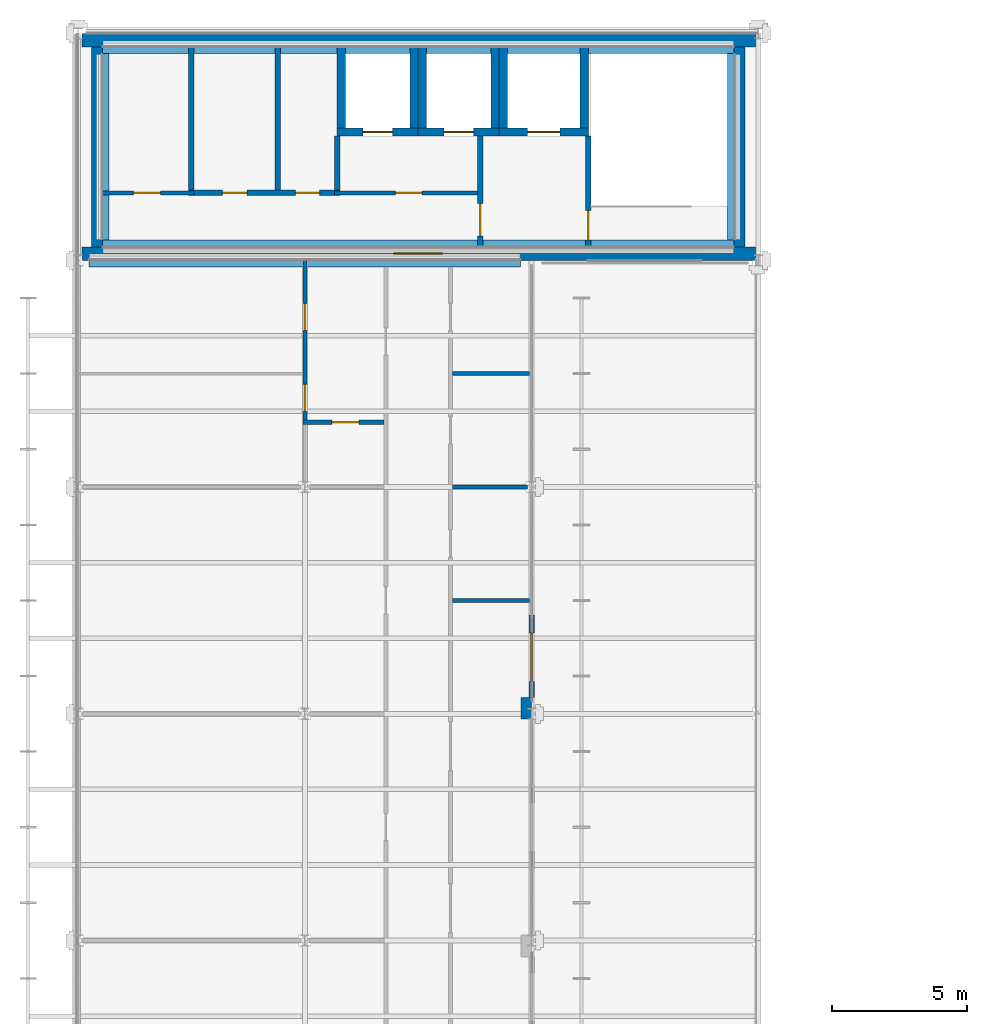
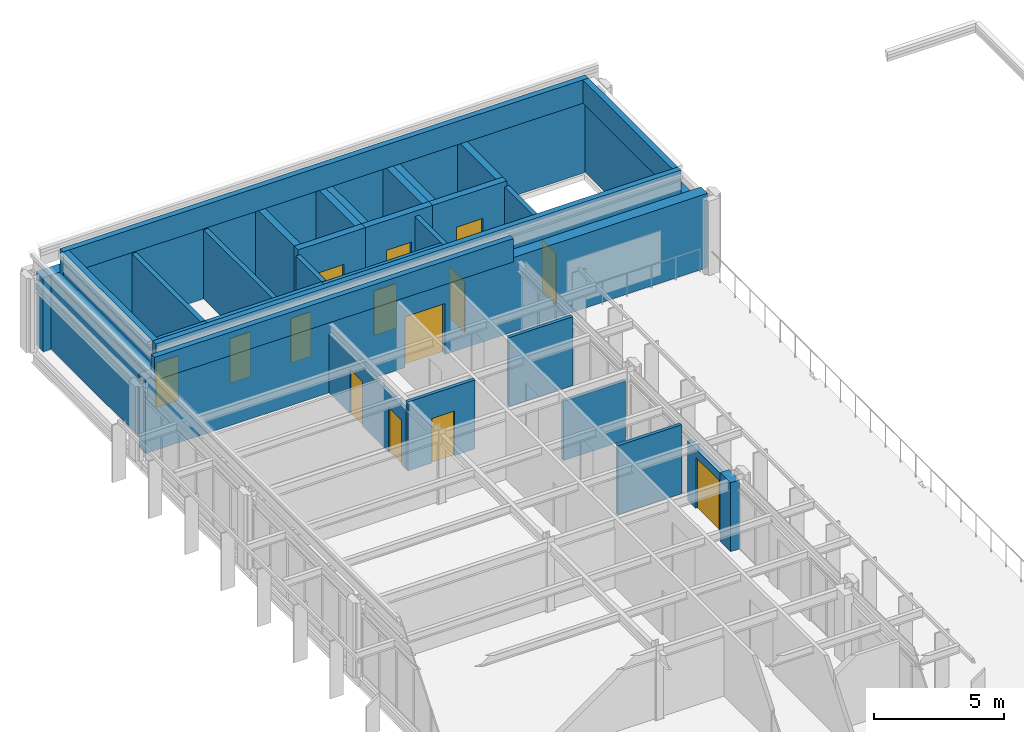
# One storey, part 28 of 31: 33 walls, 14 doors, 14 openings.
"""IFC4 building model written with IfcOpenShell, lengths in metres."""

import ifcopenshell
import ifcopenshell.guid

model = None  # the IFC model being written
_history = None  # IfcOwnerHistory: only IFC2X3 demands one
_inside = {}  # id of a spatial element -> (the spatial element, [elements in it])
_under = {}  # id of a project, library or spatial element -> (it, [spatial elements below it])
_declared = {}  # id of a project -> (the project, [libraries it declares])
_typed = {}  # id of a type object -> (the type object, [elements of that type])
_made_of = {}  # id of a material, layer set ... -> (it, [elements and type objects made of it])


def new_model(schema):
    """Start an empty IFC model of exactly this schema.

    Asked for "IFC4X3", IfcOpenShell would pick the latest addendum, in which some entities
    have other attributes; the version numbers below select the first issue.
    IFC2X3 requires an IfcOwnerHistory on every rooted entity: one is made here for all.
    """
    global model, _history
    if schema == "IFC4X3":
        model = ifcopenshell.file(schema_version=(4, 3, 0, 0))
    else:
        model = ifcopenshell.file(schema=schema)
    _inside.clear()
    _under.clear()
    _declared.clear()
    _typed.clear()
    _made_of.clear()
    _history = None
    if model.schema == "IFC2X3":
        org = make("IfcOrganization", Name="unknown")
        user = make(
            "IfcPersonAndOrganization",
            ThePerson=make("IfcPerson", FamilyName="unknown"),
            TheOrganization=org,
        )
        app = make(
            "IfcApplication",
            ApplicationDeveloper=org,
            Version="unknown",
            ApplicationFullName="unknown",
            ApplicationIdentifier="unknown",
        )
        _history = make(
            "IfcOwnerHistory",
            OwningUser=user,
            OwningApplication=app,
            ChangeAction="ADDED",
            CreationDate=0,
        )
    return model


def make(cls, **values):
    """One entity of the class cls with the attributes given. An attribute that is None is left unset."""
    return model.create_entity(
        cls, **{name: value for name, value in values.items() if value is not None}
    )


def rooted(cls, **values):
    """An entity with a GlobalId (a new one), such as an element, a storey or a relation."""
    return make(cls, GlobalId=ifcopenshell.guid.new(), OwnerHistory=_history, **values)


def si_unit(unit_type, name, prefix=None):
    """IfcSIUnit, for example si_unit("LENGTHUNIT", "METRE", prefix="MILLI")."""
    return make("IfcSIUnit", UnitType=unit_type, Prefix=prefix, Name=name)


def assignment(units):
    """IfcUnitAssignment: the units of a project."""
    return None if units is None else make("IfcUnitAssignment", Units=units)


def point(xyz):
    """IfcCartesianPoint."""
    return None if xyz is None else make("IfcCartesianPoint", Coordinates=xyz)


def direction(xyz):
    """IfcDirection."""
    return None if xyz is None else make("IfcDirection", DirectionRatios=xyz)


def frame(location, z_axis=None, x_axis=None):
    """IfcAxis2Placement3D, a coordinate frame: its origin and axes. An axis left out is left unset."""
    return make(
        "IfcAxis2Placement3D",
        Location=point(location),
        Axis=direction(z_axis),
        RefDirection=direction(x_axis),
    )


def frame_2d(location, x_axis=None):
    """IfcAxis2Placement2D, a coordinate frame in the plane: its origin and x axis."""
    return make(
        "IfcAxis2Placement2D", Location=point(location), RefDirection=direction(x_axis)
    )


def origin():
    """The frame at (0, 0, 0) with its axes left unset."""
    return frame((0.0, 0.0, 0.0))


def place(relative_to, where):
    """IfcLocalPlacement: puts the frame where relative to a parent placement (None: the world)."""
    return make(
        "IfcLocalPlacement", PlacementRelTo=relative_to, RelativePlacement=where
    )


def context(
    kind, dimensions, precision=None, world=None, true_north=None, identifier=None
):
    """IfcGeometricRepresentationContext, for example the 3D "Model" context."""
    return make(
        "IfcGeometricRepresentationContext",
        ContextIdentifier=identifier,
        ContextType=kind,
        CoordinateSpaceDimension=dimensions,
        Precision=precision,
        WorldCoordinateSystem=world,
        TrueNorth=true_north,
    )


def subcontext(parent, identifier, kind, view, scale=None):
    """IfcGeometricRepresentationSubContext, for example "Body" below "Model"."""
    return make(
        "IfcGeometricRepresentationSubContext",
        ContextIdentifier=identifier,
        ContextType=kind,
        ParentContext=parent,
        TargetScale=scale,
        TargetView=view,
    )


def project(units=None, contexts=None):
    """IfcProject with its units and contexts."""
    return rooted(
        "IfcProject",
        Name="project",
        RepresentationContexts=contexts,
        UnitsInContext=assignment(units),
    )


def spatial(cls, under=None, at=None, **own):
    """A site, building, storey or space (cls), placed at a placement, below another one or the project."""
    s = rooted(cls, ObjectPlacement=at, **own)
    if under is not None:
        _under.setdefault(under.id(), (under, []))[1].append(s)
    return s


def profile(cls, at=None, kind="AREA", **sizes):
    """A parametric profile (cls). Its sizes go by their IFC names, for example OverallWidth=200.0."""
    return make(cls, ProfileType=kind, Position=at, **sizes)


def rectangle(**sizes):
    """IfcRectangleProfileDef."""
    return profile("IfcRectangleProfileDef", **sizes)


def extrude(swept, where, along, depth):
    """IfcExtrudedAreaSolid: the profile swept, set in the frame where, extruded along a direction by depth."""
    return make(
        "IfcExtrudedAreaSolid",
        SweptArea=swept,
        Position=where,
        ExtrudedDirection=direction(along),
        Depth=depth,
    )


def shape(context_of_items, identifier, shape_type, items):
    """IfcShapeRepresentation: the items that make up one representation, for example the "Body"."""
    return make(
        "IfcShapeRepresentation",
        ContextOfItems=context_of_items,
        RepresentationIdentifier=identifier,
        RepresentationType=shape_type,
        Items=items,
    )


def material(Name=None, Category=None):
    """IfcMaterial."""
    return make("IfcMaterial", Name=Name, Category=Category)


def layer(
    of_material, thickness, ventilated=None, Name=None, Category=None, Priority=None
):
    """IfcMaterialLayer: one layer of a wall or slab, of a material (None: an air gap)."""
    return make(
        "IfcMaterialLayer",
        Material=of_material,
        LayerThickness=thickness,
        IsVentilated=ventilated,
        Name=Name,
        Category=Category,
        Priority=Priority,
    )


def layer_set(layers, Name=None):
    """IfcMaterialLayerSet."""
    return make("IfcMaterialLayerSet", MaterialLayers=layers, LayerSetName=Name)


def made_of(thing, what):
    """Note that an element or type object is made of a material, layer set ...; save() writes the relation."""
    if what is not None:
        _made_of.setdefault(what.id(), (what, []))[1].append(thing)
    return thing


def type_object(cls, material=None, **own):
    """A type object (cls), such as IfcWallType, which elements share."""
    return made_of(rooted(cls, **own), material)


def element(
    cls,
    number,
    at=None,
    inside=None,
    cuts=None,
    type_object=None,
    material=None,
    context=None,
    identifier="Body",
    shape_type=None,
    held_by="IfcProductDefinitionShape",
    body=None,
    shapes=None,
    **own,
):
    """One element of the class cls, such as IfcWall. Its Tag is "e" and its number.

    at: its placement. inside: the storey or other place that contains it. cuts: it is an
    opening in that element (IfcRelVoidsElement). A single representation is given by context,
    identifier, shape_type and body (its items); several are given by shapes. held_by: the class
    of the entity that holds the representations. save() writes the other relations.
    """
    e = rooted(cls, Tag="e%d" % number, ObjectPlacement=at, **own)
    if body is not None:
        shapes = [shape(context, identifier, shape_type, body)]
    if shapes is not None:
        e.Representation = make(held_by, Representations=shapes)
    if inside is not None:
        _inside.setdefault(inside.id(), (inside, []))[1].append(e)
    if cuts is not None:
        rooted(
            "IfcRelVoidsElement", RelatingBuildingElement=cuts, RelatedOpeningElement=e
        )
    if type_object is not None:
        _typed.setdefault(type_object.id(), (type_object, []))[1].append(e)
    return made_of(e, material)


def fill(opening, filler):
    """IfcRelFillsElement: the door or window that sits in an opening."""
    return rooted(
        "IfcRelFillsElement",
        RelatingOpeningElement=opening,
        RelatedBuildingElement=filler,
    )


def aggregate(whole, parts):
    """IfcRelAggregates: a whole, such as a stair, and the parts it consists of."""
    return rooted("IfcRelAggregates", RelatingObject=whole, RelatedObjects=parts)


def save(model, path):
    """Write the relations noted so far, then the file.

    IfcRelAggregates (storeys below a building ...), IfcRelContainedInSpatialStructure (elements
    in a storey), IfcRelDefinesByType, IfcRelAssociatesMaterial and IfcRelDeclares: one each for
    every whole, place, type object, material and project.
    """
    for whole, parts in _under.values():
        aggregate(whole, parts)
    for where, things in _inside.values():
        rooted(
            "IfcRelContainedInSpatialStructure",
            RelatedElements=things,
            RelatingStructure=where,
        )
    for kind, things in _typed.values():
        rooted("IfcRelDefinesByType", RelatedObjects=things, RelatingType=kind)
    for what, things in _made_of.values():
        rooted("IfcRelAssociatesMaterial", RelatedObjects=things, RelatingMaterial=what)
    for by, libraries in _declared.values():
        rooted("IfcRelDeclares", RelatingContext=by, RelatedDefinitions=libraries)
    model.write(path)


model = new_model("IFC4")

# Units and contexts
model_context = context("Model", 3, precision=1e-05, world=origin(), true_north=direction((0.0, 1.0)))
body_context = subcontext(model_context, "Body", "Model", "MODEL_VIEW")
ifc_project = project(units=[si_unit("LENGTHUNIT", "METRE"), si_unit("AREAUNIT", "SQUARE_METRE"), si_unit("VOLUMEUNIT", "CUBIC_METRE"), si_unit("PLANEANGLEUNIT", "RADIAN"), si_unit("MASSUNIT", "GRAM", prefix="KILO")], contexts=[model_context])

# Site, building, storey
site_placement = place(None, origin())
site = spatial("IfcSite", under=ifc_project, at=site_placement, CompositionType="ELEMENT")
building_placement = place(site_placement, origin())
building = spatial("IfcBuilding", under=site, at=building_placement, Name="Catenary Quay Ferry Terminal", CompositionType="ELEMENT")
storey_placement = place(building_placement, frame((0.0, 0.0, 20.60009765625)))
storey = spatial("IfcBuildingStorey", under=building, at=storey_placement, Name="L04", CompositionType="ELEMENT", Elevation=20.60009765625)

# Walls
ifc_material_1 = material(Name="Concrete C50/60", Category="concrete")
ifc_layer_1 = layer(ifc_material_1, 0.39990234375)
ifc_layer_set_1 = layer_set([ifc_layer_1], Name="Core wall 400")
wall_type_1 = type_object("IfcWallType", Name="Core wall 400", PredefinedType="SHEAR", material=ifc_layer_set_1)
for number, where, z_axis, x_axis, name in (
    (1, (25.89990234375, 202.10009765625, 0.0), (0.0, 0.0, 1.0), (0.0, 1.0, 0.0), "Core wall N3"),
    (2, (49.699951171875, 202.10009765625, 0.0), (0.0, 0.0, 1.0), (0.0, 1.0, 0.0), "Core wall N4"),
):
    element("IfcWall", number, at=place(storey_placement, frame(where, z_axis=z_axis, x_axis=x_axis)), inside=storey, type_object=wall_type_1, Name=name, PredefinedType="SHEAR", context=body_context, shape_type="SweptSolid", body=[
        extrude(rectangle(XDim=7.39990234375, YDim=0.39990234375, at=frame_2d((3.699951171875, 0.0))), origin(), (0.0, 0.0, 1.0), 3.5),
    ])

# Wall, opening, door
ifc_material_2 = material(Name="Concrete C50/60", Category="concrete")
ifc_layer_2 = layer(ifc_material_2, 0.5)
ifc_layer_set_2 = layer_set([ifc_layer_2], Name="Core wall 500")
wall_type_2 = type_object("IfcWallType", Name="Core wall 500", PredefinedType="SHEAR", material=ifc_layer_set_2)
wall_1_placement = place(storey_placement, frame((25.35009765625, 201.85009765625, 0.0), z_axis=(0.0, 0.0, 1.0), x_axis=(1.0, 0.0, 0.0)))
wall_1 = element("IfcWall", 3, at=wall_1_placement, inside=storey, type_object=wall_type_2, Name="Core wall N1", PredefinedType="SHEAR", context=body_context, shape_type="SweptSolid", body=[
    extrude(rectangle(XDim=25.04296875, YDim=0.5, at=frame_2d((12.521484375, 0.0))), origin(), (0.0, 0.0, 1.0), 3.5),
])
opening_1_placement = place(wall_1_placement, frame((11.550048828125, 0.0, 0.0)))
opening_1 = element("IfcOpeningElement", 4, at=opening_1_placement, cuts=wall_1, Name="Opening D230", PredefinedType="OPENING", context=body_context, shape_type="SweptSolid", body=[
    extrude(rectangle(XDim=1.800048828125, YDim=2.39990234375, at=frame_2d((0.89990234375, 1.199951171875))), frame((0.0, 0.260009765625, 0.0), z_axis=(0.0, -1.0, 0.0), x_axis=(1.0, 0.0, 0.0)), (0.0, 0.0, 1.0), 0.52001953125),
])
ifc_material_3 = material(Name="Steel and glass", Category="steel")
door_type_1 = type_object("IfcDoorType", Name="DI3", OperationType="DOUBLE_DOOR_SINGLE_SWING", PredefinedType="DOOR", material=ifc_material_3)
door_1_placement = place(opening_1_placement, origin())
door_1 = element("IfcDoor", 5, at=door_1_placement, inside=storey, type_object=door_type_1, Name="Operations Corridor to Core Corridor N", OperationType="DOUBLE_DOOR_SINGLE_SWING", OverallHeight=2.39990234375, OverallWidth=1.800048828125, PredefinedType="DOOR", context=body_context, shape_type="SweptSolid", body=[
    extrude(rectangle(XDim=1.800048828125, YDim=2.39990234375, at=frame_2d((0.89990234375, 1.199951171875))), frame((0.0, 0.02490234375, 0.0), z_axis=(0.0, -1.0, 0.0), x_axis=(1.0, 0.0, 0.0)), (0.0, 0.0, 1.0), 0.050048828125),
])
fill(opening_1, door_1)

# Walls
wall_2_placement = place(storey_placement, frame((25.35009765625, 209.75, 0.0), z_axis=(0.0, 0.0, 1.0), x_axis=(1.0, 0.0, 0.0)))
element("IfcWall", 6, at=wall_2_placement, inside=storey, type_object=wall_type_2, Name="Core wall N2", PredefinedType="SHEAR", context=body_context, shape_type="SweptSolid", body=[
    extrude(rectangle(XDim=25.04296875, YDim=0.5, at=frame_2d((12.521484375, 0.0))), origin(), (0.0, 0.0, 1.0), 3.5),
])
ifc_material_4 = material(Name="Masonry and insulation", Category="masonry")
ifc_layer_3 = layer(ifc_material_4, 0.39990234375)
ifc_layer_set_3 = layer_set([ifc_layer_3], Name="EW2")
wall_type_3 = type_object("IfcWallType", Name="EW2", PredefinedType="SOLIDWALL", material=ifc_layer_set_3)
wall_3_placement = place(storey_placement, frame((41.800048828125, 184.60009765625, 0.0), z_axis=(0.0, 0.0, 1.0), x_axis=(0.0, 1.0, 0.0)))
element("IfcWall", 7, at=wall_3_placement, inside=storey, type_object=wall_type_3, Name="P46 wall WL201", PredefinedType="SOLIDWALL", context=body_context, shape_type="SweptSolid", body=[
    extrude(rectangle(XDim=0.7998046875, YDim=0.39990234375, at=frame_2d((0.39990234375, 0.0))), origin(), (0.0, 0.0, 1.0), 3.25),
])
ifc_material_5 = material(Name="Masonry and insulation", Category="masonry")
ifc_layer_4 = layer(ifc_material_5, 0.25)
ifc_layer_set_4 = layer_set([ifc_layer_4], Name="EW5")
wall_type_4 = type_object("IfcWallType", Name="EW5", PredefinedType="PARAPET", material=ifc_layer_set_4)
for number, where, z_axis, x_axis, name in (
    (8, (26.10009765625, 209.375, 3.5), (0.0, 0.0, 1.0), (1.0, 0.0, 0.0), "Parapet wall WL226"),
    (9, (26.10009765625, 202.22509765625, 3.5), (0.0, 0.0, 1.0), (1.0, 0.0, 0.0), "Parapet wall WL227"),
):
    element("IfcWall", number, at=place(storey_placement, frame(where, z_axis=z_axis, x_axis=x_axis)), inside=storey, type_object=wall_type_4, Name=name, PredefinedType="PARAPET", context=body_context, shape_type="SweptSolid", body=[
        extrude(rectangle(XDim=23.39990234375, YDim=0.25, at=frame_2d((11.699951171875, 0.0))), origin(), (0.0, 0.0, 1.0), 1.099853515625),
    ])
wall_4_placement = place(storey_placement, frame((25.6025390625, 201.47509765625, 3.5), z_axis=(0.0, 0.0, 1.0), x_axis=(1.0, 0.0, 0.0)))
element("IfcWall", 10, at=wall_4_placement, inside=storey, type_object=wall_type_4, Name="Parapet wall WL228", PredefinedType="PARAPET", context=body_context, shape_type="SweptSolid", body=[
    extrude(rectangle(XDim=15.994873046875, YDim=0.25, at=frame_2d((7.99755859375, 0.0))), origin(), (0.0, 0.0, 1.0), 1.099853515625),
])
for number, where, z_axis, x_axis, name in (
    (11, (26.22509765625, 202.35009765625, 3.5), (0.0, 0.0, 1.0), (0.0, 1.0, 0.0), "Parapet wall WL232"),
    (12, (49.375, 202.35009765625, 3.5), (0.0, 0.0, 1.0), (0.0, 1.0, 0.0), "Parapet wall WL233"),
):
    element("IfcWall", number, at=place(storey_placement, frame(where, z_axis=z_axis, x_axis=x_axis)), inside=storey, type_object=wall_type_4, Name=name, PredefinedType="PARAPET", context=body_context, shape_type="SweptSolid", body=[
        extrude(rectangle(XDim=6.89990234375, YDim=0.25, at=frame_2d((3.449951171875, 0.0))), origin(), (0.0, 0.0, 1.0), 1.099853515625),
    ])

# Wall, opening, door
ifc_material_6 = material(Name="Masonry and insulation", Category="masonry")
ifc_layer_5 = layer(ifc_material_6, 0.199951171875)
ifc_layer_set_5 = layer_set([ifc_layer_5], Name="EW6")
wall_type_5 = type_object("IfcWallType", Name="EW6", PredefinedType="SOLIDWALL", material=ifc_layer_set_5)
wall_5_placement = place(storey_placement, frame((42.0, 185.39990234375, 0.0), z_axis=(0.0, 0.0, 1.0), x_axis=(0.0, 1.0, 0.0)))
wall_5 = element("IfcWall", 13, at=wall_5_placement, inside=storey, type_object=wall_type_5, Name="Front wing wall WL71", PredefinedType="SOLIDWALL", context=body_context, shape_type="SweptSolid", body=[
    extrude(rectangle(XDim=3.05517578125, YDim=0.199951171875, at=frame_2d((1.527587890625, 0.0))), origin(), (0.0, 0.0, 1.0), 2.796142578125),
])
opening_2_placement = place(wall_5_placement, frame((0.60009765625, 0.0, 0.0)))
opening_2 = element("IfcOpeningElement", 14, at=opening_2_placement, cuts=wall_5, Name="Opening D29", PredefinedType="OPENING", context=body_context, shape_type="SweptSolid", body=[
    extrude(rectangle(XDim=1.800048828125, YDim=2.39990234375, at=frame_2d((0.89990234375, 1.199951171875))), frame((0.0, 0.10986328125, 0.0), z_axis=(0.0, -1.0, 0.0), x_axis=(1.0, 0.0, 0.0)), (0.0, 0.0, 1.0), 0.219970703125),
])
ifc_material_7 = material(Name="Aluminium and glass", Category="aluminium")
door_type_2 = type_object("IfcDoorType", Name="DXR1800", OperationType="DOUBLE_DOOR_SINGLE_SWING", PredefinedType="DOOR", material=ifc_material_7)
door_2_placement = place(opening_2_placement, frame((1.800048828125, 0.0, 0.0), z_axis=(0.0, 0.0, 1.0), x_axis=(-1.0, 0.0, 0.0)))
door_2 = element("IfcDoor", 15, at=door_2_placement, inside=storey, type_object=door_type_2, Name="Front wing door D29", OperationType="DOUBLE_DOOR_SINGLE_SWING", OverallHeight=2.39990234375, OverallWidth=1.800048828125, PredefinedType="DOOR", context=body_context, shape_type="SweptSolid", body=[
    extrude(rectangle(XDim=1.800048828125, YDim=2.39990234375, at=frame_2d((0.89990234375, 1.199951171875))), frame((0.0, 0.02490234375, 0.0), z_axis=(0.0, -1.0, 0.0), x_axis=(1.0, 0.0, 0.0)), (0.0, 0.0, 1.0), 0.050048828125),
])
fill(opening_2, door_2)

ifc_material_8 = material(Name="Plasterboard on steel studs", Category="steel")
ifc_layer_6 = layer(ifc_material_8, 0.14990234375)
ifc_layer_set_6 = layer_set([ifc_layer_6], Name="IP3")
wall_type_6 = type_object("IfcWallType", Name="IP3", PredefinedType="PARTITIONING", material=ifc_layer_set_6)
wall_6_placement = place(storey_placement, frame((33.52490234375, 195.60009765625, 0.0), z_axis=(0.0, 0.0, 1.0), x_axis=(1.0, 0.0, 0.0)))
wall_6 = element("IfcWall", 16, at=wall_6_placement, inside=storey, type_object=wall_type_6, Name="Partition L04 13", PredefinedType="PARTITIONING", context=body_context, shape_type="SweptSolid", body=[
    extrude(rectangle(XDim=3.0, YDim=0.14990234375, at=frame_2d((1.5, 0.0))), origin(), (0.0, 0.0, 1.0), 3.25),
])
opening_3_placement = place(wall_6_placement, frame((1.074951171875, 0.0, 0.0)))
opening_3 = element("IfcOpeningElement", 17, at=opening_3_placement, cuts=wall_6, Name="Opening D234", PredefinedType="OPENING", context=body_context, shape_type="SweptSolid", body=[
    extrude(rectangle(XDim=1.0, YDim=2.10009765625, at=frame_2d((0.5, 1.050048828125))), frame((0.0, 0.0849609375, 0.0), z_axis=(0.0, -1.0, 0.0), x_axis=(1.0, 0.0, 0.0)), (0.0, 0.0, 1.0), 0.169921875),
])
ifc_material_9 = material(Name="Timber", Category="wood")
door_type_3 = type_object("IfcDoorType", Name="DI8", OperationType="SINGLE_SWING_LEFT", PredefinedType="DOOR", material=ifc_material_9)
door_3_placement = place(opening_3_placement, frame((1.0, 0.0, 0.0), z_axis=(0.0, 0.0, 1.0), x_axis=(-1.0, 0.0, 0.0)))
door_3 = element("IfcDoor", 18, at=door_3_placement, inside=storey, type_object=door_type_3, Name="Staff Accessible WC L04 to Staff WC Lobby L04", OperationType="SINGLE_SWING_RIGHT", OverallHeight=2.10009765625, OverallWidth=1.0, PredefinedType="DOOR", context=body_context, shape_type="SweptSolid", body=[
    extrude(rectangle(XDim=1.0, YDim=2.10009765625, at=frame_2d((0.5, 1.050048828125))), frame((0.0, 0.02490234375, 0.0), z_axis=(0.0, -1.0, 0.0), x_axis=(1.0, 0.0, 0.0)), (0.0, 0.0, 1.0), 0.050048828125),
])
fill(opening_3, door_3)

wall_7_placement = place(storey_placement, frame((26.10009765625, 204.10009765625, 0.0), z_axis=(0.0, 0.0, 1.0), x_axis=(1.0, 0.0, 0.0)))
wall_7 = element("IfcWall", 19, at=wall_7_placement, inside=storey, type_object=wall_type_6, Name="Partition L04 16", PredefinedType="PARTITIONING", context=body_context, shape_type="SweptSolid", body=[
    extrude(rectangle(XDim=3.39990234375, YDim=0.14990234375, at=frame_2d((1.699951171875, 0.0))), origin(), (0.0, 0.0, 1.0), 3.25),
])
opening_4_placement = place(wall_7_placement, frame((1.14990234375, 0.0, 0.0)))
opening_4 = element("IfcOpeningElement", 20, at=opening_4_placement, cuts=wall_7, Name="Opening D226", PredefinedType="OPENING", context=body_context, shape_type="SweptSolid", body=[
    extrude(rectangle(XDim=1.0, YDim=2.10009765625, at=frame_2d((0.5, 1.050048828125))), frame((0.0, 0.0849609375, 0.0), z_axis=(0.0, -1.0, 0.0), x_axis=(1.0, 0.0, 0.0)), (0.0, 0.0, 1.0), 0.169921875),
])
door_4_placement = place(opening_4_placement, origin())
door_4 = element("IfcDoor", 21, at=door_4_placement, inside=storey, type_object=door_type_3, Name="Accessible WC N to Core Corridor N", OperationType="SINGLE_SWING_LEFT", OverallHeight=2.10009765625, OverallWidth=1.0, PredefinedType="DOOR", context=body_context, shape_type="SweptSolid", body=[
    extrude(rectangle(XDim=1.0, YDim=2.10009765625, at=frame_2d((0.5, 1.050048828125))), frame((0.0, 0.02490234375, 0.0), z_axis=(0.0, -1.0, 0.0), x_axis=(1.0, 0.0, 0.0)), (0.0, 0.0, 1.0), 0.050048828125),
])
fill(opening_4, door_4)

wall_8_placement = place(storey_placement, frame((34.699951171875, 204.10009765625, 0.0), z_axis=(0.0, 0.0, 1.0), x_axis=(1.0, 0.0, 0.0)))
wall_8 = element("IfcWall", 22, at=wall_8_placement, inside=storey, type_object=wall_type_6, Name="Partition L04 18", PredefinedType="PARTITIONING", context=body_context, shape_type="SweptSolid", body=[
    extrude(rectangle(XDim=5.300048828125, YDim=0.14990234375, at=frame_2d((2.64990234375, 0.0))), origin(), (0.0, 0.0, 1.0), 3.25),
])
opening_5_placement = place(wall_8_placement, frame((2.25, 0.0, 0.0)))
opening_5 = element("IfcOpeningElement", 23, at=opening_5_placement, cuts=wall_8, Name="Opening D218", PredefinedType="OPENING", context=body_context, shape_type="SweptSolid", body=[
    extrude(rectangle(XDim=1.0, YDim=2.10009765625, at=frame_2d((0.5, 1.050048828125))), frame((0.0, 0.0849609375, 0.0), z_axis=(0.0, -1.0, 0.0), x_axis=(1.0, 0.0, 0.0)), (0.0, 0.0, 1.0), 0.169921875),
])
ifc_material_10 = material(Name="Steel", Category="steel")
door_type_4 = type_object("IfcDoorType", Name="DI12", OperationType="SINGLE_SWING_LEFT", PredefinedType="DOOR", material=ifc_material_10)
door_5_placement = place(opening_5_placement, origin())
door_5 = element("IfcDoor", 24, at=door_5_placement, inside=storey, type_object=door_type_4, Name="Passenger Lift Lobby N to Core Corridor N", OperationType="SINGLE_SWING_LEFT", OverallHeight=2.10009765625, OverallWidth=1.0, PredefinedType="DOOR", context=body_context, shape_type="SweptSolid", body=[
    extrude(rectangle(XDim=1.0, YDim=2.10009765625, at=frame_2d((0.5, 1.050048828125))), frame((0.0, 0.02490234375, 0.0), z_axis=(0.0, -1.0, 0.0), x_axis=(1.0, 0.0, 0.0)), (0.0, 0.0, 1.0), 0.050048828125),
])
fill(opening_5, door_5)

# Wall, openings, doors
wall_9_placement = place(storey_placement, frame((33.60009765625, 195.675048828125, 0.0), z_axis=(0.0, 0.0, 1.0), x_axis=(0.0, 1.0, 0.0)))
wall_9 = element("IfcWall", 25, at=wall_9_placement, inside=storey, type_object=wall_type_6, Name="Partition L04 23", PredefinedType="PARTITIONING", context=body_context, shape_type="SweptSolid", body=[
    extrude(rectangle(XDim=5.925048828125, YDim=0.14990234375, at=frame_2d((2.96240234375, 0.0))), origin(), (0.0, 0.0, 1.0), 2.796142578125),
])
opening_6_placement = place(wall_9_placement, frame((0.324951171875, 0.0, 0.0)))
opening_6 = element("IfcOpeningElement", 26, at=opening_6_placement, cuts=wall_9, Name="Opening D235", PredefinedType="OPENING", context=body_context, shape_type="SweptSolid", body=[
    extrude(rectangle(XDim=1.0, YDim=2.10009765625, at=frame_2d((0.5, 1.050048828125))), frame((0.0, 0.0849609375, 0.0), z_axis=(0.0, -1.0, 0.0), x_axis=(1.0, 0.0, 0.0)), (0.0, 0.0, 1.0), 0.169921875),
])
opening_7_placement = place(wall_9_placement, frame((3.324951171875, 0.0, 0.0)))
opening_7 = element("IfcOpeningElement", 27, at=opening_7_placement, cuts=wall_9, Name="Opening D236", PredefinedType="OPENING", context=body_context, shape_type="SweptSolid", body=[
    extrude(rectangle(XDim=1.0, YDim=2.10009765625, at=frame_2d((0.5, 1.050048828125))), frame((0.0, 0.0849609375, 0.0), z_axis=(0.0, -1.0, 0.0), x_axis=(1.0, 0.0, 0.0)), (0.0, 0.0, 1.0), 0.169921875),
])
door_6_placement = place(opening_6_placement, origin())
door_6 = element("IfcDoor", 28, at=door_6_placement, inside=storey, type_object=door_type_3, Name="Staff Women WC L04 to Staff WC Lobby L04", OperationType="SINGLE_SWING_LEFT", OverallHeight=2.10009765625, OverallWidth=1.0, PredefinedType="DOOR", context=body_context, shape_type="SweptSolid", body=[
    extrude(rectangle(XDim=1.0, YDim=2.10009765625, at=frame_2d((0.5, 1.050048828125))), frame((0.0, 0.02490234375, 0.0), z_axis=(0.0, -1.0, 0.0), x_axis=(1.0, 0.0, 0.0)), (0.0, 0.0, 1.0), 0.050048828125),
])
fill(opening_6, door_6)
door_7_placement = place(opening_7_placement, origin())
door_7 = element("IfcDoor", 29, at=door_7_placement, inside=storey, type_object=door_type_3, Name="Staff Men WC L04 to Staff WC Lobby L04", OperationType="SINGLE_SWING_LEFT", OverallHeight=2.10009765625, OverallWidth=1.0, PredefinedType="DOOR", context=body_context, shape_type="SweptSolid", body=[
    extrude(rectangle(XDim=1.0, YDim=2.10009765625, at=frame_2d((0.5, 1.050048828125))), frame((0.0, 0.02490234375, 0.0), z_axis=(0.0, -1.0, 0.0), x_axis=(1.0, 0.0, 0.0)), (0.0, 0.0, 1.0), 0.050048828125),
])
fill(opening_7, door_7)

# Wall, opening, door
ifc_material_11 = material(Name="Blockwork and plaster", Category="masonry")
ifc_layer_7 = layer(ifc_material_11, 0.199951171875)
ifc_layer_set_7 = layer_set([ifc_layer_7], Name="IP4")
wall_type_7 = type_object("IfcWallType", Name="IP4", PredefinedType="PARTITIONING", material=ifc_layer_set_7)
wall_10_placement = place(storey_placement, frame((40.10009765625, 202.10009765625, 0.0), z_axis=(0.0, 0.0, 1.0), x_axis=(0.0, 1.0, 0.0)))
wall_10 = element("IfcWall", 30, at=wall_10_placement, inside=storey, type_object=wall_type_7, Name="Partition L04 28", PredefinedType="PARTITIONING", context=body_context, shape_type="SweptSolid", body=[
    extrude(rectangle(XDim=4.099853515625, YDim=0.199951171875, at=frame_2d((2.0498046875, 0.0))), origin(), (0.0, 0.0, 1.0), 3.25),
])
opening_8_placement = place(wall_10_placement, frame((0.39990234375, 0.0, 0.0)))
opening_8 = element("IfcOpeningElement", 31, at=opening_8_placement, cuts=wall_10, Name="Opening D220", PredefinedType="OPENING", context=body_context, shape_type="SweptSolid", body=[
    extrude(rectangle(XDim=1.199951171875, YDim=2.39990234375, at=frame_2d((0.60009765625, 1.199951171875))), frame((0.0, 0.10986328125, 0.0), z_axis=(0.0, -1.0, 0.0), x_axis=(1.0, 0.0, 0.0)), (0.0, 0.0, 1.0), 0.219970703125),
])
ifc_material_12 = material(Name="Steel and glass", Category="steel")
door_type_5 = type_object("IfcDoorType", Name="DI10", OperationType="SINGLE_SWING_LEFT", PredefinedType="DOOR", material=ifc_material_12)
door_8_placement = place(opening_8_placement, frame((1.199951171875, 0.0, 0.0), z_axis=(0.0, 0.0, 1.0), x_axis=(-1.0, 0.0, 0.0)))
door_8 = element("IfcDoor", 32, at=door_8_placement, inside=storey, type_object=door_type_5, Name="Fire-fighting Lobby N to Core Corridor N", OperationType="SINGLE_SWING_RIGHT", OverallHeight=2.39990234375, OverallWidth=1.199951171875, PredefinedType="DOOR", context=body_context, shape_type="SweptSolid", body=[
    extrude(rectangle(XDim=1.199951171875, YDim=2.39990234375, at=frame_2d((0.60009765625, 1.199951171875))), frame((0.0, 0.02490234375, 0.0), z_axis=(0.0, -1.0, 0.0), x_axis=(1.0, 0.0, 0.0)), (0.0, 0.0, 1.0), 0.050048828125),
])
fill(opening_8, door_8)

wall_11_placement = place(storey_placement, frame((44.10009765625, 202.10009765625, 0.0), z_axis=(0.0, 0.0, 1.0), x_axis=(0.0, 1.0, 0.0)))
wall_11 = element("IfcWall", 33, at=wall_11_placement, inside=storey, type_object=wall_type_7, Name="Partition L04 31", PredefinedType="PARTITIONING", context=body_context, shape_type="SweptSolid", body=[
    extrude(rectangle(XDim=4.099853515625, YDim=0.199951171875, at=frame_2d((2.0498046875, 0.0))), origin(), (0.0, 0.0, 1.0), 3.25),
])
opening_9_placement = place(wall_11_placement, frame((0.25, 0.0, 0.0)))
opening_9 = element("IfcOpeningElement", 34, at=opening_9_placement, cuts=wall_11, Name="Opening D228", PredefinedType="OPENING", context=body_context, shape_type="SweptSolid", body=[
    extrude(rectangle(XDim=1.10009765625, YDim=2.39990234375, at=frame_2d((0.550048828125, 1.199951171875))), frame((0.0, 0.10986328125, 0.0), z_axis=(0.0, -1.0, 0.0), x_axis=(1.0, 0.0, 0.0)), (0.0, 0.0, 1.0), 0.219970703125),
])
ifc_material_13 = material(Name="Steel", Category="steel")
door_type_6 = type_object("IfcDoorType", Name="DI4", OperationType="SINGLE_SWING_LEFT", PredefinedType="DOOR", material=ifc_material_13)
door_9_placement = place(opening_9_placement, frame((1.10009765625, 0.0, 0.0), z_axis=(0.0, 0.0, 1.0), x_axis=(-1.0, 0.0, 0.0)))
door_9 = element("IfcDoor", 35, at=door_9_placement, inside=storey, type_object=door_type_6, Name="Stair HS1 to Fire-fighting Lobby N", OperationType="SINGLE_SWING_RIGHT", OverallHeight=2.39990234375, OverallWidth=1.10009765625, PredefinedType="DOOR", context=body_context, shape_type="SweptSolid", body=[
    extrude(rectangle(XDim=1.10009765625, YDim=2.39990234375, at=frame_2d((0.550048828125, 1.199951171875))), frame((0.0, 0.02490234375, 0.0), z_axis=(0.0, -1.0, 0.0), x_axis=(1.0, 0.0, 0.0)), (0.0, 0.0, 1.0), 0.050048828125),
])
fill(opening_9, door_9)

# Wall, openings, doors
ifc_material_14 = material(Name="Blockwork and plaster", Category="masonry")
ifc_layer_8 = layer(ifc_material_14, 0.199951171875)
ifc_layer_set_8 = layer_set([ifc_layer_8], Name="IP6")
wall_type_8 = type_object("IfcWallType", Name="IP6", PredefinedType="PARTITIONING", material=ifc_layer_set_8)
wall_12_placement = place(storey_placement, frame((29.300048828125, 204.10009765625, 0.0), z_axis=(0.0, 0.0, 1.0), x_axis=(1.0, 0.0, 0.0)))
wall_12 = element("IfcWall", 36, at=wall_12_placement, inside=storey, type_object=wall_type_8, Name="Partition L04 17", PredefinedType="PARTITIONING", context=body_context, shape_type="SweptSolid", body=[
    extrude(rectangle(XDim=5.599853515625, YDim=0.199951171875, at=frame_2d((2.7998046875, 0.0))), origin(), (0.0, 0.0, 1.0), 3.25),
])
opening_10_placement = place(wall_12_placement, frame((3.949951171875, 0.0, 0.0)))
opening_10 = element("IfcOpeningElement", 37, at=opening_10_placement, cuts=wall_12, Name="Opening D222", PredefinedType="OPENING", context=body_context, shape_type="SweptSolid", body=[
    extrude(rectangle(XDim=0.89990234375, YDim=2.10009765625, at=frame_2d((0.449951171875, 1.050048828125))), frame((0.0, 0.10986328125, 0.0), z_axis=(0.0, -1.0, 0.0), x_axis=(1.0, 0.0, 0.0)), (0.0, 0.0, 1.0), 0.219970703125),
])
opening_11_placement = place(wall_12_placement, frame((1.25, 0.0, 0.0)))
opening_11 = element("IfcOpeningElement", 38, at=opening_11_placement, cuts=wall_12, Name="Opening D224", PredefinedType="OPENING", context=body_context, shape_type="SweptSolid", body=[
    extrude(rectangle(XDim=0.89990234375, YDim=2.10009765625, at=frame_2d((0.449951171875, 1.050048828125))), frame((0.0, 0.10986328125, 0.0), z_axis=(0.0, -1.0, 0.0), x_axis=(1.0, 0.0, 0.0)), (0.0, 0.0, 1.0), 0.219970703125),
])
ifc_material_15 = material(Name="Steel", Category="steel")
door_type_7 = type_object("IfcDoorType", Name="DI9", OperationType="SINGLE_SWING_LEFT", PredefinedType="DOOR", material=ifc_material_15)
door_10_placement = place(opening_10_placement, origin())
door_10 = element("IfcDoor", 39, at=door_10_placement, inside=storey, type_object=door_type_7, Name="Riser Shaft N to Core Corridor N", OperationType="SINGLE_SWING_LEFT", OverallHeight=2.10009765625, OverallWidth=0.89990234375, PredefinedType="DOOR", context=body_context, shape_type="SweptSolid", body=[
    extrude(rectangle(XDim=0.89990234375, YDim=2.10009765625, at=frame_2d((0.449951171875, 1.050048828125))), frame((0.0, 0.02490234375, 0.0), z_axis=(0.0, -1.0, 0.0), x_axis=(1.0, 0.0, 0.0)), (0.0, 0.0, 1.0), 0.050048828125),
])
fill(opening_10, door_10)
door_11_placement = place(opening_11_placement, origin())
door_11 = element("IfcDoor", 40, at=door_11_placement, inside=storey, type_object=door_type_7, Name="Cleaners Store N to Core Corridor N", OperationType="SINGLE_SWING_LEFT", OverallHeight=2.10009765625, OverallWidth=0.89990234375, PredefinedType="DOOR", context=body_context, shape_type="SweptSolid", body=[
    extrude(rectangle(XDim=0.89990234375, YDim=2.10009765625, at=frame_2d((0.449951171875, 1.050048828125))), frame((0.0, 0.02490234375, 0.0), z_axis=(0.0, -1.0, 0.0), x_axis=(1.0, 0.0, 0.0)), (0.0, 0.0, 1.0), 0.050048828125),
])
fill(opening_11, door_11)

# Walls
for number, where, z_axis, x_axis, name in (
    (41, (29.39990234375, 204.199951171875, 0.0), (0.0, 0.0, 1.0), (0.0, 1.0, 0.0), "Partition L04 19"),
    (42, (32.60009765625, 204.199951171875, 0.0), (0.0, 0.0, 1.0), (0.0, 1.0, 0.0), "Partition L04 21"),
):
    element("IfcWall", number, at=place(storey_placement, frame(where, z_axis=z_axis, x_axis=x_axis)), inside=storey, type_object=wall_type_8, Name=name, PredefinedType="PARTITIONING", context=body_context, shape_type="SweptSolid", body=[
        extrude(rectangle(XDim=5.300048828125, YDim=0.199951171875, at=frame_2d((2.64990234375, 0.0))), origin(), (0.0, 0.0, 1.0), 3.25),
    ])
wall_13_placement = place(storey_placement, frame((34.800048828125, 204.199951171875, 0.0), z_axis=(0.0, 0.0, 1.0), x_axis=(0.0, 1.0, 0.0)))
element("IfcWall", 43, at=wall_13_placement, inside=storey, type_object=wall_type_8, Name="Partition L04 24", PredefinedType="PARTITIONING", context=body_context, shape_type="SweptSolid", body=[
    extrude(rectangle(XDim=2.0, YDim=0.199951171875, at=frame_2d((1.0, 0.0))), origin(), (0.0, 0.0, 1.0), 3.25),
])
ifc_material_16 = material(Name="Plasterboard on steel studs", Category="steel")
ifc_layer_9 = layer(ifc_material_16, 0.14990234375)
ifc_layer_set_9 = layer_set([ifc_layer_9], Name="IP7")
wall_type_9 = type_object("IfcWallType", Name="IP7", PredefinedType="PARTITIONING", material=ifc_layer_set_9)
wall_14_placement = place(storey_placement, frame((39.074951171875, 189.0, 0.0), z_axis=(0.0, 0.0, 1.0), x_axis=(1.0, 0.0, 0.0)))
element("IfcWall", 44, at=wall_14_placement, inside=storey, type_object=wall_type_9, Name="Partition L04 9", PredefinedType="PARTITIONING", context=body_context, shape_type="SweptSolid", body=[
    extrude(rectangle(XDim=2.85009765625, YDim=0.14990234375, at=frame_2d((1.425048828125, 0.0))), origin(), (0.0, 0.0, 1.0), 3.25),
])
wall_15_placement = place(storey_placement, frame((39.074951171875, 193.199951171875, 0.0), z_axis=(0.0, 0.0, 1.0), x_axis=(1.0, 0.0, 0.0)))
element("IfcWall", 45, at=wall_15_placement, inside=storey, type_object=wall_type_9, Name="Partition L04 12", PredefinedType="PARTITIONING", context=body_context, shape_type="SweptSolid", body=[
    extrude(rectangle(XDim=2.775146484375, YDim=0.14990234375, at=frame_2d((1.3876953125, 0.0))), origin(), (0.0, 0.0, 1.0), 2.796142578125),
])
wall_16_placement = place(storey_placement, frame((39.074951171875, 197.39990234375, 0.0), z_axis=(0.0, 0.0, 1.0), x_axis=(1.0, 0.0, 0.0)))
element("IfcWall", 46, at=wall_16_placement, inside=storey, type_object=wall_type_9, Name="Partition L04 15", PredefinedType="PARTITIONING", context=body_context, shape_type="SweptSolid", body=[
    extrude(rectangle(XDim=2.85009765625, YDim=0.14990234375, at=frame_2d((1.425048828125, 0.0))), origin(), (0.0, 0.0, 1.0), 3.25),
])

# Wall, opening, door
ifc_material_17 = material(Name="Concrete C50/60", Category="concrete")
ifc_layer_10 = layer(ifc_material_17, 0.300048828125)
ifc_layer_set_10 = layer_set([ifc_layer_10], Name="Shaft wall 300")
wall_type_10 = type_object("IfcWallType", Name="Shaft wall 300", PredefinedType="SHEAR", material=ifc_layer_set_10)
wall_17_placement = place(storey_placement, frame((40.800048828125, 206.35009765625, 0.0), z_axis=(0.0, 0.0, 1.0), x_axis=(1.0, 0.0, 0.0)))
wall_17 = element("IfcWall", 47, at=wall_17_placement, inside=storey, type_object=wall_type_10, Name="Shaft wall FL2 S", PredefinedType="SHEAR", context=body_context, shape_type="SweptSolid", body=[
    extrude(rectangle(XDim=3.300048828125, YDim=0.300048828125, at=frame_2d((1.64990234375, 0.0))), origin(), (0.0, 0.0, 1.0), 3.5),
])
opening_12_placement = place(wall_17_placement, frame((1.050048828125, 0.0, 0.0)))
opening_12 = element("IfcOpeningElement", 48, at=opening_12_placement, cuts=wall_17, Name="Opening LD14", PredefinedType="OPENING", context=body_context, shape_type="SweptSolid", body=[
    extrude(rectangle(XDim=1.199951171875, YDim=2.10009765625, at=frame_2d((0.60009765625, 1.050048828125))), frame((0.0, 0.159912109375, 0.0), z_axis=(0.0, -1.0, 0.0), x_axis=(1.0, 0.0, 0.0)), (0.0, 0.0, 1.0), 0.320068359375),
])
ifc_material_18 = material(Name="Stainless steel", Category="steel")
door_type_8 = type_object("IfcDoorType", Name="DL2", OperationType="SLIDING_TO_LEFT", PredefinedType="DOOR", material=ifc_material_18)
door_12_placement = place(opening_12_placement, origin())
door_12 = element("IfcDoor", 49, at=door_12_placement, inside=storey, type_object=door_type_8, Name="Lift FL2 landing door L04", OperationType="SLIDING_TO_LEFT", OverallHeight=2.10009765625, OverallWidth=1.199951171875, PredefinedType="DOOR", context=body_context, shape_type="SweptSolid", body=[
    extrude(rectangle(XDim=1.199951171875, YDim=2.10009765625, at=frame_2d((0.60009765625, 1.050048828125))), frame((0.0, 0.02490234375, 0.0), z_axis=(0.0, -1.0, 0.0), x_axis=(1.0, 0.0, 0.0)), (0.0, 0.0, 1.0), 0.050048828125),
])
fill(opening_12, door_12)

# Walls
for number, where, z_axis, x_axis, name in (
    (50, (43.949951171875, 206.5, 0.0), (0.0, 0.0, 1.0), (0.0, 1.0, 0.0), "Shaft wall FL2 E"),
    (51, (40.949951171875, 206.5, 0.0), (0.0, 0.0, 1.0), (0.0, 1.0, 0.0), "Shaft wall FL2 W"),
):
    element("IfcWall", number, at=place(storey_placement, frame(where, z_axis=z_axis, x_axis=x_axis)), inside=storey, type_object=wall_type_10, Name=name, PredefinedType="SHEAR", context=body_context, shape_type="SweptSolid", body=[
        extrude(rectangle(XDim=3.0, YDim=0.300048828125, at=frame_2d((1.5, 0.0))), origin(), (0.0, 0.0, 1.0), 3.5),
    ])

# Wall, opening, door
wall_18_placement = place(storey_placement, frame((37.800048828125, 206.35009765625, 0.0), z_axis=(0.0, 0.0, 1.0), x_axis=(1.0, 0.0, 0.0)))
wall_18 = element("IfcWall", 52, at=wall_18_placement, inside=storey, type_object=wall_type_10, Name="Shaft wall GL3 S", PredefinedType="SHEAR", context=body_context, shape_type="SweptSolid", body=[
    extrude(rectangle(XDim=3.0, YDim=0.300048828125, at=frame_2d((1.5, 0.0))), origin(), (0.0, 0.0, 1.0), 3.5),
])
opening_13_placement = place(wall_18_placement, frame((0.949951171875, 0.0, 0.0)))
opening_13 = element("IfcOpeningElement", 53, at=opening_13_placement, cuts=wall_18, Name="Opening LD29", PredefinedType="OPENING", context=body_context, shape_type="SweptSolid", body=[
    extrude(rectangle(XDim=1.10009765625, YDim=2.10009765625, at=frame_2d((0.550048828125, 1.050048828125))), frame((0.0, 0.159912109375, 0.0), z_axis=(0.0, -1.0, 0.0), x_axis=(1.0, 0.0, 0.0)), (0.0, 0.0, 1.0), 0.320068359375),
])
ifc_material_19 = material(Name="Stainless steel", Category="steel")
door_type_9 = type_object("IfcDoorType", Name="DL1", OperationType="SLIDING_TO_LEFT", PredefinedType="DOOR", material=ifc_material_19)
door_13_placement = place(opening_13_placement, origin())
door_13 = element("IfcDoor", 54, at=door_13_placement, inside=storey, type_object=door_type_9, Name="Lift GL3 landing door L04", OperationType="SLIDING_TO_LEFT", OverallHeight=2.10009765625, OverallWidth=1.10009765625, PredefinedType="DOOR", context=body_context, shape_type="SweptSolid", body=[
    extrude(rectangle(XDim=1.10009765625, YDim=2.10009765625, at=frame_2d((0.550048828125, 1.050048828125))), frame((0.0, 0.02490234375, 0.0), z_axis=(0.0, -1.0, 0.0), x_axis=(1.0, 0.0, 0.0)), (0.0, 0.0, 1.0), 0.050048828125),
])
fill(opening_13, door_13)

# Walls
for number, where, z_axis, x_axis, name in (
    (55, (40.64990234375, 206.5, 0.0), (0.0, 0.0, 1.0), (0.0, 1.0, 0.0), "Shaft wall GL3 E"),
    (56, (37.949951171875, 206.5, 0.0), (0.0, 0.0, 1.0), (0.0, 1.0, 0.0), "Shaft wall GL3 W"),
):
    element("IfcWall", number, at=place(storey_placement, frame(where, z_axis=z_axis, x_axis=x_axis)), inside=storey, type_object=wall_type_10, Name=name, PredefinedType="SHEAR", context=body_context, shape_type="SweptSolid", body=[
        extrude(rectangle(XDim=3.0, YDim=0.300048828125, at=frame_2d((1.5, 0.0))), origin(), (0.0, 0.0, 1.0), 3.5),
    ])

# Wall, opening, door
wall_19_placement = place(storey_placement, frame((34.800048828125, 206.35009765625, 0.0), z_axis=(0.0, 0.0, 1.0), x_axis=(1.0, 0.0, 0.0)))
wall_19 = element("IfcWall", 57, at=wall_19_placement, inside=storey, type_object=wall_type_10, Name="Shaft wall GL4 S", PredefinedType="SHEAR", context=body_context, shape_type="SweptSolid", body=[
    extrude(rectangle(XDim=3.0, YDim=0.300048828125, at=frame_2d((1.5, 0.0))), origin(), (0.0, 0.0, 1.0), 3.5),
])
opening_14_placement = place(wall_19_placement, frame((0.949951171875, 0.0, 0.0)))
opening_14 = element("IfcOpeningElement", 58, at=opening_14_placement, cuts=wall_19, Name="Opening LD34", PredefinedType="OPENING", context=body_context, shape_type="SweptSolid", body=[
    extrude(rectangle(XDim=1.10009765625, YDim=2.10009765625, at=frame_2d((0.550048828125, 1.050048828125))), frame((0.0, 0.159912109375, 0.0), z_axis=(0.0, -1.0, 0.0), x_axis=(1.0, 0.0, 0.0)), (0.0, 0.0, 1.0), 0.320068359375),
])
door_14_placement = place(opening_14_placement, origin())
door_14 = element("IfcDoor", 59, at=door_14_placement, inside=storey, type_object=door_type_9, Name="Lift GL4 landing door L04", OperationType="SLIDING_TO_LEFT", OverallHeight=2.10009765625, OverallWidth=1.10009765625, PredefinedType="DOOR", context=body_context, shape_type="SweptSolid", body=[
    extrude(rectangle(XDim=1.10009765625, YDim=2.10009765625, at=frame_2d((0.550048828125, 1.050048828125))), frame((0.0, 0.02490234375, 0.0), z_axis=(0.0, -1.0, 0.0), x_axis=(1.0, 0.0, 0.0)), (0.0, 0.0, 1.0), 0.050048828125),
])
fill(opening_14, door_14)

# Walls
for number, where, z_axis, x_axis, name in (
    (60, (37.64990234375, 206.5, 0.0), (0.0, 0.0, 1.0), (0.0, 1.0, 0.0), "Shaft wall GL4 E"),
    (61, (34.949951171875, 206.5, 0.0), (0.0, 0.0, 1.0), (0.0, 1.0, 0.0), "Shaft wall GL4 W"),
):
    element("IfcWall", number, at=place(storey_placement, frame(where, z_axis=z_axis, x_axis=x_axis)), inside=storey, type_object=wall_type_10, Name=name, PredefinedType="SHEAR", context=body_context, shape_type="SweptSolid", body=[
        extrude(rectangle(XDim=3.0, YDim=0.300048828125, at=frame_2d((1.5, 0.0))), origin(), (0.0, 0.0, 1.0), 3.5),
    ])

save(model, "model.ifc")
